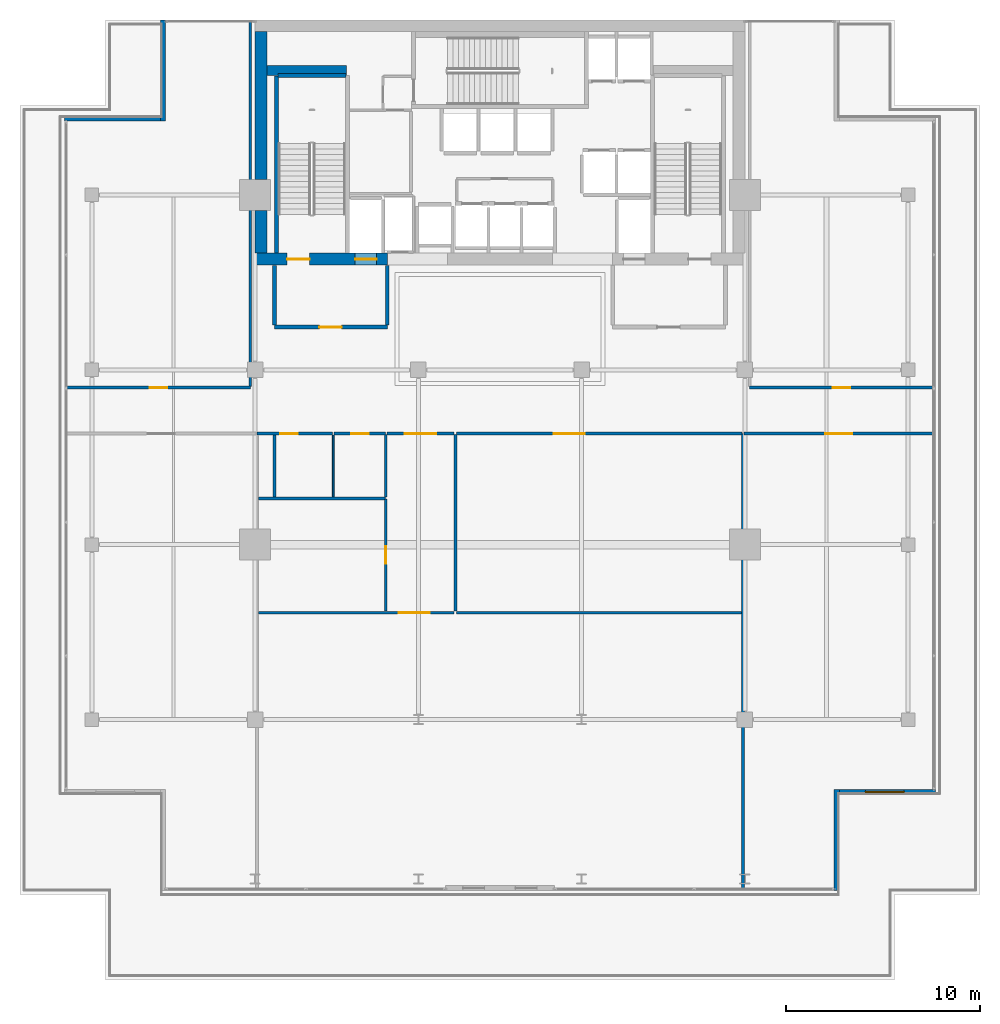
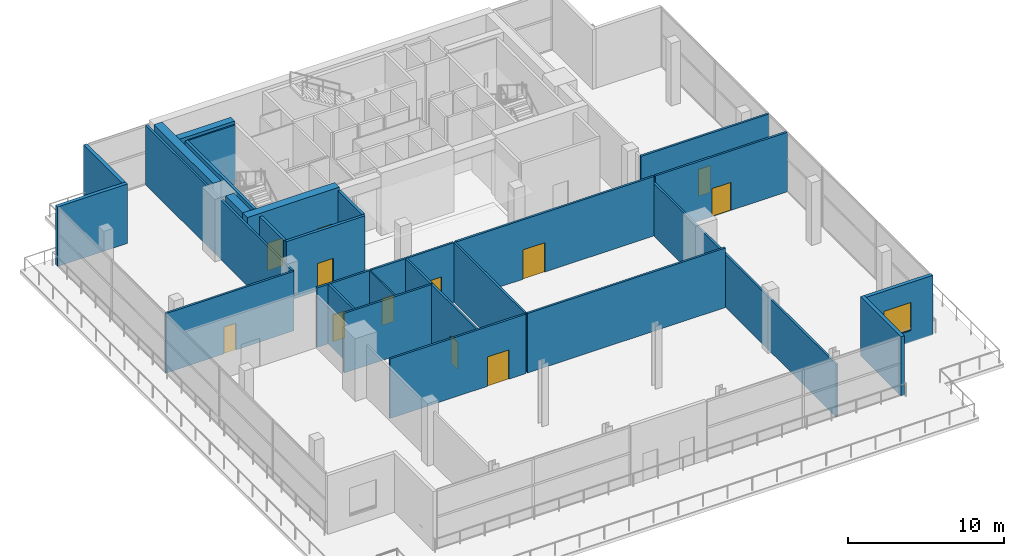
# One storey, part 22 of 28: 30 walls, 12 doors, 1 window, 13 openings.
"""IFC4 building model written with IfcOpenShell, lengths in metres."""

from ifc_helpers import new_model, si_unit, direction, frame, frame_2d, origin, place, context, subcontext, project, spatial, rectangle, extrude, material, layer, layer_set, type_object, element, fill, save


model = new_model("IFC4")

# Units and contexts
model_context = context("Model", 3, precision=1e-05, world=origin(), true_north=direction((0.0, 1.0)))
body_context = subcontext(model_context, "Body", "Model", "MODEL_VIEW")
ifc_project = project(units=[si_unit("LENGTHUNIT", "METRE"), si_unit("AREAUNIT", "SQUARE_METRE"), si_unit("VOLUMEUNIT", "CUBIC_METRE"), si_unit("PLANEANGLEUNIT", "RADIAN"), si_unit("MASSUNIT", "GRAM", prefix="KILO")], contexts=[model_context])

# Site, building, storey
site_placement = place(None, origin())
site = spatial("IfcSite", under=ifc_project, at=site_placement, CompositionType="ELEMENT")
building_placement = place(site_placement, origin())
building = spatial("IfcBuilding", under=site, at=building_placement, Name="Maruvema Waterfront Hotel and Observation Tower", CompositionType="ELEMENT")
storey_placement = place(building_placement, frame((0.0, 0.0, 234.5)))
storey = spatial("IfcBuildingStorey", under=building, at=storey_placement, Name="L57", CompositionType="ELEMENT", Elevation=234.5)

# Wall, opening, door
ifc_material_1 = material(Name="Twin-stud acoustic gypsum drywall", Category="gypsum")
ifc_layer_1 = layer(ifc_material_1, 0.14990234375, Name="Acoustic Corridor and Suite Demising Wall 150 mm")
ifc_layer_set_1 = layer_set([ifc_layer_1], Name="Twin-stud acoustic gypsum drywall")
wall_type_1 = type_object("IfcWallType", Name="Acoustic Corridor and Suite Demising Wall 150 mm", PredefinedType="PARTITIONING", material=ifc_layer_set_1)
wall_1_placement = place(storey_placement, frame((25.300048828125, 32.719970703125, 0.0), z_axis=(0.0, 0.0, 1.0), x_axis=(1.0, 0.0, 0.0)))
wall_1 = element("IfcWall", 1, at=wall_1_placement, inside=storey, type_object=wall_type_1, Name="L57 L57 Public WC North 018", PredefinedType="PARTITIONING", context=body_context, shape_type="SweptSolid", body=[
    extrude(rectangle(XDim=3.8798828125, YDim=0.14990234375, at=frame_2d((1.93994140625, 0.0))), origin(), (0.0, 0.0, 1.0), 4.659912109375),
])
opening_1_placement = place(wall_1_placement, frame((1.199951171875, 0.0, 0.0)))
opening_1 = element("IfcOpeningElement", 2, at=opening_1_placement, cuts=wall_1, Name="Opening DR-090", PredefinedType="OPENING", context=body_context, shape_type="SweptSolid", body=[
    extrude(rectangle(XDim=0.89990234375, YDim=2.10009765625, at=frame_2d((0.449951171875, 1.050048828125))), frame((0.0, 0.0849609375, 0.0), z_axis=(0.0, -1.0, 0.0), x_axis=(1.0, 0.0, 0.0)), (0.0, 0.0, 1.0), 0.169921875),
])
ifc_material_2 = material(Name="Solid-core lacquered timber leaf", Category="wood")
door_type_1 = type_object("IfcDoorType", Name="Accessible Toilet and Room Door 900x2100 mm", OperationType="NOTDEFINED", PredefinedType="DOOR", material=ifc_material_2)
door_1_placement = place(opening_1_placement, origin())
door_1 = element("IfcDoor", 3, at=door_1_placement, inside=storey, type_object=door_type_1, Name="L57 Public Toilet Door", OperationType="SINGLE_SWING_LEFT", OverallHeight=2.10009765625, OverallWidth=0.89990234375, PredefinedType="DOOR", context=body_context, shape_type="SweptSolid", body=[
    extrude(rectangle(XDim=0.89990234375, YDim=2.10009765625, at=frame_2d((0.449951171875, 1.050048828125))), frame((0.0, 0.02490234375, 0.0), z_axis=(0.0, -1.0, 0.0), x_axis=(1.0, 0.0, 0.0)), (0.0, 0.0, 1.0), 0.050048828125),
])
fill(opening_1, door_1)

wall_2_placement = place(storey_placement, frame((29.260009765625, 32.719970703125, 0.0), z_axis=(0.0, 0.0, 1.0), x_axis=(1.0, 0.0, 0.0)))
wall_2 = element("IfcWall", 4, at=wall_2_placement, inside=storey, type_object=wall_type_1, Name="L57 L57 Acc WC North 019", PredefinedType="PARTITIONING", context=body_context, shape_type="SweptSolid", body=[
    extrude(rectangle(XDim=2.659912109375, YDim=0.14990234375, at=frame_2d((1.330078125, 0.0))), origin(), (0.0, 0.0, 1.0), 4.659912109375),
])
opening_2_placement = place(wall_2_placement, frame((0.8798828125, 0.0, 0.0)))
opening_2 = element("IfcOpeningElement", 5, at=opening_2_placement, cuts=wall_2, Name="Opening DR-090", PredefinedType="OPENING", context=body_context, shape_type="SweptSolid", body=[
    extrude(rectangle(XDim=0.89990234375, YDim=2.10009765625, at=frame_2d((0.449951171875, 1.050048828125))), frame((0.0, 0.0849609375, 0.0), z_axis=(0.0, -1.0, 0.0), x_axis=(1.0, 0.0, 0.0)), (0.0, 0.0, 1.0), 0.169921875),
])
door_2_placement = place(opening_2_placement, origin())
door_2 = element("IfcDoor", 6, at=door_2_placement, inside=storey, type_object=door_type_1, Name="L57 Accessible WC Door", OperationType="SINGLE_SWING_RIGHT", OverallHeight=2.10009765625, OverallWidth=0.89990234375, PredefinedType="DOOR", context=body_context, shape_type="SweptSolid", body=[
    extrude(rectangle(XDim=0.89990234375, YDim=2.10009765625, at=frame_2d((0.449951171875, 1.050048828125))), frame((0.0, 0.02490234375, 0.0), z_axis=(0.0, -1.0, 0.0), x_axis=(1.0, 0.0, 0.0)), (0.0, 0.0, 1.0), 0.050048828125),
])
fill(opening_2, door_2)

# Walls
wall_3_placement = place(storey_placement, frame((25.3798828125, 29.3798828125, 0.0), z_axis=(0.0, 0.0, 1.0), x_axis=(1.0, 0.0, 0.0)))
element("IfcWall", 7, at=wall_3_placement, inside=storey, type_object=wall_type_1, Name="L57 L57 WC South 020", PredefinedType="PARTITIONING", context=body_context, shape_type="SweptSolid", body=[
    extrude(rectangle(XDim=6.5400390625, YDim=0.14990234375, at=frame_2d((3.27001953125, 0.0))), origin(), (0.0, 0.0, 1.0), 4.659912109375),
])
wall_4_placement = place(storey_placement, frame((26.199951171875, 29.4599609375, 0.0), z_axis=(0.0, 0.0, 1.0), x_axis=(0.0, 1.0, 0.0)))
element("IfcWall", 8, at=wall_4_placement, inside=storey, type_object=wall_type_1, Name="L57 L57 WC West 021", PredefinedType="PARTITIONING", context=body_context, shape_type="SweptSolid", body=[
    extrude(rectangle(XDim=3.179931640625, YDim=0.14990234375, at=frame_2d((1.58984375, 0.0))), origin(), (0.0, 0.0, 1.0), 4.659912109375),
])
wall_5_placement = place(storey_placement, frame((31.919921875, 29.4599609375, 0.0), z_axis=(0.0, 0.0, 1.0), x_axis=(0.0, 1.0, 0.0)))
element("IfcWall", 9, at=wall_5_placement, inside=storey, type_object=wall_type_1, Name="L57 L57 WC East 023", PredefinedType="PARTITIONING", context=body_context, shape_type="SweptSolid", body=[
    extrude(rectangle(XDim=3.219970703125, YDim=0.14990234375, at=frame_2d((1.60986328125, 0.0))), origin(), (0.0, 0.0, 1.0), 4.659912109375),
])

# Wall, opening, door
wall_6_placement = place(storey_placement, frame((25.3798828125, 23.5, 0.0), z_axis=(0.0, 0.0, 1.0), x_axis=(1.0, 0.0, 0.0)))
wall_6 = element("IfcWall", 10, at=wall_6_placement, inside=storey, type_object=wall_type_1, Name="L57 L57 Sky Lobby Vestibule South 024", PredefinedType="PARTITIONING", context=body_context, shape_type="SweptSolid", body=[
    extrude(rectangle(XDim=10.06005859375, YDim=0.14990234375, at=frame_2d((5.030029296875, 0.0))), origin(), (0.0, 0.0, 1.0), 4.659912109375),
])
opening_3_placement = place(wall_6_placement, frame((7.199951171875, 0.0, 0.0)))
opening_3 = element("IfcOpeningElement", 11, at=opening_3_placement, cuts=wall_6, Name="Opening DR-160", PredefinedType="OPENING", context=body_context, shape_type="SweptSolid", body=[
    extrude(rectangle(XDim=1.60009765625, YDim=2.300048828125, at=frame_2d((0.800048828125, 1.14990234375))), frame((0.0, 0.0849609375, 0.0), z_axis=(0.0, -1.0, 0.0), x_axis=(1.0, 0.0, 0.0)), (0.0, 0.0, 1.0), 0.169921875),
])
ifc_material_3 = material(Name="Acoustic veneered hardwood double leaf", Category="wood")
door_type_2 = type_object("IfcDoorType", Name="Ballroom and Lounge Double Door 1600x2300 mm", OperationType="DOUBLE_DOOR_SINGLE_SWING", PredefinedType="DOOR", material=ifc_material_3)
door_3_placement = place(opening_3_placement, origin())
door_3 = element("IfcDoor", 12, at=door_3_placement, inside=storey, type_object=door_type_2, Name="L57 L57 Sky Lobby Door", OperationType="DOUBLE_DOOR_SINGLE_SWING", OverallHeight=2.300048828125, OverallWidth=1.60009765625, PredefinedType="DOOR", context=body_context, shape_type="SweptSolid", body=[
    extrude(rectangle(XDim=1.60009765625, YDim=2.300048828125, at=frame_2d((0.800048828125, 1.14990234375))), frame((0.0, 0.02490234375, 0.0), z_axis=(0.0, -1.0, 0.0), x_axis=(1.0, 0.0, 0.0)), (0.0, 0.0, 1.0), 0.050048828125),
])
fill(opening_3, door_3)

# Walls
wall_7_placement = place(storey_placement, frame((35.56005859375, 23.5, 0.0), z_axis=(0.0, 0.0, 1.0), x_axis=(1.0, 0.0, 0.0)))
element("IfcWall", 13, at=wall_7_placement, inside=storey, type_object=wall_type_1, Name="L57 L57 Sky Lobby Split 025", PredefinedType="PARTITIONING", context=body_context, shape_type="SweptSolid", body=[
    extrude(rectangle(XDim=14.659912109375, YDim=0.14990234375, at=frame_2d((7.330078125, 0.0))), origin(), (0.0, 0.0, 1.0), 4.659912109375),
])
wall_8_placement = place(storey_placement, frame((35.5, 23.580078125, 0.0), z_axis=(0.0, 0.0, 1.0), x_axis=(0.0, 1.0, 0.0)))
element("IfcWall", 14, at=wall_8_placement, inside=storey, type_object=wall_type_1, Name="L57 L57 Vestibule East Wall 026", PredefinedType="PARTITIONING", context=body_context, shape_type="SweptSolid", body=[
    extrude(rectangle(XDim=9.099853515625, YDim=0.14990234375, at=frame_2d((4.5498046875, 0.0))), origin(), (0.0, 0.0, 1.0), 4.659912109375),
])

# Wall, opening, door
wall_9_placement = place(storey_placement, frame((31.919921875, 23.580078125, 0.0), z_axis=(0.0, 0.0, 1.0), x_axis=(0.0, 1.0, 0.0)))
wall_9 = element("IfcWall", 15, at=wall_9_placement, inside=storey, type_object=wall_type_1, Name="L57 L57 Valet East Wall 027", PredefinedType="PARTITIONING", context=body_context, shape_type="SweptSolid", body=[
    extrude(rectangle(XDim=5.780029296875, YDim=0.14990234375, at=frame_2d((2.89013671875, 0.0))), origin(), (0.0, 0.0, 1.0), 4.659912109375),
])
opening_4_placement = place(wall_9_placement, frame((2.43994140625, 0.0, 0.0)))
opening_4 = element("IfcOpeningElement", 16, at=opening_4_placement, cuts=wall_9, Name="Opening DR-090", PredefinedType="OPENING", context=body_context, shape_type="SweptSolid", body=[
    extrude(rectangle(XDim=0.89990234375, YDim=2.10009765625, at=frame_2d((0.449951171875, 1.050048828125))), frame((0.0, 0.0849609375, 0.0), z_axis=(0.0, -1.0, 0.0), x_axis=(1.0, 0.0, 0.0)), (0.0, 0.0, 1.0), 0.169921875),
])
door_4_placement = place(opening_4_placement, origin())
door_4 = element("IfcDoor", 17, at=door_4_placement, inside=storey, type_object=door_type_1, Name="L57 L57 Valet Room Door", OperationType="SINGLE_SWING_LEFT", OverallHeight=2.10009765625, OverallWidth=0.89990234375, PredefinedType="DOOR", context=body_context, shape_type="SweptSolid", body=[
    extrude(rectangle(XDim=0.89990234375, YDim=2.10009765625, at=frame_2d((0.449951171875, 1.050048828125))), frame((0.0, 0.02490234375, 0.0), z_axis=(0.0, -1.0, 0.0), x_axis=(1.0, 0.0, 0.0)), (0.0, 0.0, 1.0), 0.050048828125),
])
fill(opening_4, door_4)

wall_10_placement = place(storey_placement, frame((31.97998046875, 32.719970703125, 0.0), z_axis=(0.0, 0.0, 1.0), x_axis=(1.0, 0.0, 0.0)))
wall_10 = element("IfcWall", 18, at=wall_10_placement, inside=storey, type_object=wall_type_1, Name="L57 L57 Vestibule North 028", PredefinedType="PARTITIONING", context=body_context, shape_type="SweptSolid", body=[
    extrude(rectangle(XDim=3.4599609375, YDim=0.14990234375, at=frame_2d((1.72998046875, 0.0))), origin(), (0.0, 0.0, 1.0), 4.659912109375),
])
opening_5_placement = place(wall_10_placement, frame((0.929931640625, 0.0, 0.0)))
opening_5 = element("IfcOpeningElement", 19, at=opening_5_placement, cuts=wall_10, Name="Opening DR-160", PredefinedType="OPENING", context=body_context, shape_type="SweptSolid", body=[
    extrude(rectangle(XDim=1.60009765625, YDim=2.300048828125, at=frame_2d((0.800048828125, 1.14990234375))), frame((0.0, 0.0849609375, 0.0), z_axis=(0.0, -1.0, 0.0), x_axis=(1.0, 0.0, 0.0)), (0.0, 0.0, 1.0), 0.169921875),
])
door_5_placement = place(opening_5_placement, origin())
door_5 = element("IfcDoor", 20, at=door_5_placement, inside=storey, type_object=door_type_2, Name="L57 L57 Sky Vestibule Door", OperationType="DOUBLE_DOOR_SINGLE_SWING", OverallHeight=2.300048828125, OverallWidth=1.60009765625, PredefinedType="DOOR", context=body_context, shape_type="SweptSolid", body=[
    extrude(rectangle(XDim=1.60009765625, YDim=2.300048828125, at=frame_2d((0.800048828125, 1.14990234375))), frame((0.0, 0.02490234375, 0.0), z_axis=(0.0, -1.0, 0.0), x_axis=(1.0, 0.0, 0.0)), (0.0, 0.0, 1.0), 0.050048828125),
])
fill(opening_5, door_5)

wall_11_placement = place(storey_placement, frame((35.56005859375, 32.719970703125, 0.0), z_axis=(0.0, 0.0, 1.0), x_axis=(1.0, 0.0, 0.0)))
wall_11 = element("IfcWall", 21, at=wall_11_placement, inside=storey, type_object=wall_type_1, Name="L57 L57 Concierge North 029", PredefinedType="PARTITIONING", context=body_context, shape_type="SweptSolid", body=[
    extrude(rectangle(XDim=14.68994140625, YDim=0.14990234375, at=frame_2d((7.344970703125, 0.0))), origin(), (0.0, 0.0, 1.0), 4.659912109375),
])
opening_6_placement = place(wall_11_placement, frame((5.0, 0.0, 0.0)))
opening_6 = element("IfcOpeningElement", 22, at=opening_6_placement, cuts=wall_11, Name="Opening DR-160", PredefinedType="OPENING", context=body_context, shape_type="SweptSolid", body=[
    extrude(rectangle(XDim=1.60009765625, YDim=2.300048828125, at=frame_2d((0.800048828125, 1.14990234375))), frame((0.0, 0.0849609375, 0.0), z_axis=(0.0, -1.0, 0.0), x_axis=(1.0, 0.0, 0.0)), (0.0, 0.0, 1.0), 0.169921875),
])
door_6_placement = place(opening_6_placement, origin())
door_6 = element("IfcDoor", 23, at=door_6_placement, inside=storey, type_object=door_type_2, Name="L57 L57 Concierge Door", OperationType="DOUBLE_DOOR_SINGLE_SWING", OverallHeight=2.300048828125, OverallWidth=1.60009765625, PredefinedType="DOOR", context=body_context, shape_type="SweptSolid", body=[
    extrude(rectangle(XDim=1.60009765625, YDim=2.300048828125, at=frame_2d((0.800048828125, 1.14990234375))), frame((0.0, 0.02490234375, 0.0), z_axis=(0.0, -1.0, 0.0), x_axis=(1.0, 0.0, 0.0)), (0.0, 0.0, 1.0), 0.050048828125),
])
fill(opening_6, door_6)

wall_12_placement = place(storey_placement, frame((50.35009765625, 32.719970703125, 0.0), z_axis=(0.0, 0.0, 1.0), x_axis=(1.0, 0.0, 0.0)))
wall_12 = element("IfcWall", 24, at=wall_12_placement, inside=storey, type_object=wall_type_1, Name="L57 L57 Club North 031", PredefinedType="PARTITIONING", context=body_context, shape_type="SweptSolid", body=[
    extrude(rectangle(XDim=9.77001953125, YDim=0.14990234375, at=frame_2d((4.885009765625, 0.0))), origin(), (0.0, 0.0, 1.0), 4.659912109375),
])
opening_7_placement = place(wall_12_placement, frame((4.18505859375, 0.0, 0.0)))
opening_7 = element("IfcOpeningElement", 25, at=opening_7_placement, cuts=wall_12, Name="Opening DR-140", PredefinedType="OPENING", context=body_context, shape_type="SweptSolid", body=[
    extrude(rectangle(XDim=1.39990234375, YDim=2.199951171875, at=frame_2d((0.699951171875, 1.10009765625))), frame((0.0, 0.0849609375, 0.0), z_axis=(0.0, -1.0, 0.0), x_axis=(1.0, 0.0, 0.0)), (0.0, 0.0, 1.0), 0.169921875),
])
ifc_material_4 = material(Name="Anodised bronze framed acoustic glass leaf", Category="glass")
door_type_3 = type_object("IfcDoorType", Name="Conference and Restaurant Double Door 1400x2200 mm", OperationType="DOUBLE_DOOR_SINGLE_SWING", PredefinedType="DOOR", material=ifc_material_4)
door_7_placement = place(opening_7_placement, origin())
door_7 = element("IfcDoor", 26, at=door_7_placement, inside=storey, type_object=door_type_3, Name="L57 L57 Club Lounge Door", OperationType="DOUBLE_DOOR_SINGLE_SWING", OverallHeight=2.199951171875, OverallWidth=1.39990234375, PredefinedType="DOOR", context=body_context, shape_type="SweptSolid", body=[
    extrude(rectangle(XDim=1.39990234375, YDim=2.199951171875, at=frame_2d((0.699951171875, 1.10009765625))), frame((0.0, 0.02490234375, 0.0), z_axis=(0.0, -1.0, 0.0), x_axis=(1.0, 0.0, 0.0)), (0.0, 0.0, 1.0), 0.050048828125),
])
fill(opening_7, door_7)

# Wall
wall_13_placement = place(storey_placement, frame((50.300048828125, 9.280029296875, 0.0), z_axis=(0.0, 0.0, 1.0), x_axis=(0.0, 1.0, 0.0)))
element("IfcWall", 27, at=wall_13_placement, inside=storey, type_object=wall_type_1, Name="L57 L57 East Spine 033", PredefinedType="PARTITIONING", context=body_context, shape_type="SweptSolid", body=[
    extrude(rectangle(XDim=23.43994140625, YDim=0.14990234375, at=frame_2d((11.719970703125, 0.0))), origin(), (0.0, 0.0, 1.0), 4.126953125),
])

# Wall, opening, door
wall_14_placement = place(storey_placement, frame((15.47998046875, 35.080078125, 0.0), z_axis=(0.0, 0.0, 1.0), x_axis=(1.0, 0.0, 0.0)))
wall_14 = element("IfcWall", 28, at=wall_14_placement, inside=storey, type_object=wall_type_1, Name="L57 L57 VIP Wall 034", PredefinedType="PARTITIONING", context=body_context, shape_type="SweptSolid", body=[
    extrude(rectangle(XDim=9.469970703125, YDim=0.14990234375, at=frame_2d((4.73486328125, 0.0))), origin(), (0.0, 0.0, 1.0), 4.659912109375),
])
opening_8_placement = place(wall_14_placement, frame((4.284912109375, 0.0, 0.0)))
opening_8 = element("IfcOpeningElement", 29, at=opening_8_placement, cuts=wall_14, Name="Opening DR-090", PredefinedType="OPENING", context=body_context, shape_type="SweptSolid", body=[
    extrude(rectangle(XDim=0.89990234375, YDim=2.10009765625, at=frame_2d((0.449951171875, 1.050048828125))), frame((0.0, 0.0849609375, 0.0), z_axis=(0.0, -1.0, 0.0), x_axis=(1.0, 0.0, 0.0)), (0.0, 0.0, 1.0), 0.169921875),
])
door_8_placement = place(opening_8_placement, frame((0.89990234375, 0.0, 0.0), z_axis=(0.0, 0.0, 1.0), x_axis=(-1.0, 0.0, 0.0)))
door_8 = element("IfcDoor", 30, at=door_8_placement, inside=storey, type_object=door_type_1, Name="L57 VIP Boardroom Door", OperationType="SINGLE_SWING_RIGHT", OverallHeight=2.10009765625, OverallWidth=0.89990234375, PredefinedType="DOOR", context=body_context, shape_type="SweptSolid", body=[
    extrude(rectangle(XDim=0.89990234375, YDim=2.10009765625, at=frame_2d((0.449951171875, 1.050048828125))), frame((0.0, 0.02490234375, 0.0), z_axis=(0.0, -1.0, 0.0), x_axis=(1.0, 0.0, 0.0)), (0.0, 0.0, 1.0), 0.050048828125),
])
fill(opening_8, door_8)

# Wall
wall_15_placement = place(storey_placement, frame((24.949951171875, 35.139892578125, 0.0), z_axis=(0.0, 0.0, 1.0), x_axis=(0.0, 1.0, 0.0)))
element("IfcWall", 31, at=wall_15_placement, inside=storey, type_object=wall_type_1, Name="L57 L57 VIP East 035", PredefinedType="PARTITIONING", context=body_context, shape_type="SweptSolid", body=[
    extrude(rectangle(XDim=18.780029296875, YDim=0.14990234375, at=frame_2d((9.39013671875, 0.0))), origin(), (0.0, 0.0, 1.0), 4.659912109375),
])

# Wall, opening, door
wall_16_placement = place(storey_placement, frame((50.64990234375, 35.080078125, 0.0), z_axis=(0.0, 0.0, 1.0), x_axis=(1.0, 0.0, 0.0)))
wall_16 = element("IfcWall", 32, at=wall_16_placement, inside=storey, type_object=wall_type_1, Name="L57 L57 Pastry Wall 036", PredefinedType="PARTITIONING", context=body_context, shape_type="SweptSolid", body=[
    extrude(rectangle(XDim=9.47021484375, YDim=0.14990234375, at=frame_2d((4.735107421875, 0.0))), origin(), (0.0, 0.0, 1.0), 4.659912109375),
])
opening_9_placement = place(wall_16_placement, frame((4.284912109375, 0.0, 0.0)))
opening_9 = element("IfcOpeningElement", 33, at=opening_9_placement, cuts=wall_16, Name="Opening DR-090", PredefinedType="OPENING", context=body_context, shape_type="SweptSolid", body=[
    extrude(rectangle(XDim=0.89990234375, YDim=2.10009765625, at=frame_2d((0.449951171875, 1.050048828125))), frame((0.0, 0.0849609375, 0.0), z_axis=(0.0, -1.0, 0.0), x_axis=(1.0, 0.0, 0.0)), (0.0, 0.0, 1.0), 0.169921875),
])
door_9_placement = place(opening_9_placement, frame((0.89990234375, 0.0, 0.0), z_axis=(0.0, 0.0, 1.0), x_axis=(-1.0, 0.0, 0.0)))
door_9 = element("IfcDoor", 34, at=door_9_placement, inside=storey, type_object=door_type_1, Name="L57 Pastry Kitchen Door", OperationType="SINGLE_SWING_LEFT", OverallHeight=2.10009765625, OverallWidth=0.89990234375, PredefinedType="DOOR", context=body_context, shape_type="SweptSolid", body=[
    extrude(rectangle(XDim=0.89990234375, YDim=2.10009765625, at=frame_2d((0.449951171875, 1.050048828125))), frame((0.0, 0.02490234375, 0.0), z_axis=(0.0, -1.0, 0.0), x_axis=(1.0, 0.0, 0.0)), (0.0, 0.0, 1.0), 0.050048828125),
])
fill(opening_9, door_9)

# Walls
ifc_material_5 = material(Name="Precast concrete C45/55", Category="concrete")
ifc_layer_2 = layer(ifc_material_5, 0.199951171875, Name="Core Shaft and Stairwell Enclosure Wall 200 mm")
ifc_layer_set_2 = layer_set([ifc_layer_2], Name="Precast concrete C45/55")
wall_type_2 = type_object("IfcWallType", Name="Core Shaft and Stairwell Enclosure Wall 200 mm", PredefinedType="SOLIDWALL", material=ifc_layer_set_2)
wall_17_placement = place(storey_placement, frame((26.300048828125, 42.0, 0.0), z_axis=(0.0, 0.0, 1.0), x_axis=(0.0, 1.0, 0.0)))
element("IfcWall", 35, at=wall_17_placement, inside=storey, type_object=wall_type_2, Name="L57 Stairwell ST-01 Shaft Lining Wall", PredefinedType="SOLIDWALL", context=body_context, shape_type="SweptSolid", body=[
    extrude(rectangle(XDim=9.1201171875, YDim=0.199951171875, at=frame_2d((4.56005859375, 0.0))), origin(), (0.0, 0.0, 1.0), 4.659912109375),
])
wall_18_placement = place(storey_placement, frame((26.3798828125, 51.14990234375, 0.0), z_axis=(0.0, 0.0, 1.0), x_axis=(1.0, 0.0, 0.0)))
element("IfcWall", 36, at=wall_18_placement, inside=storey, type_object=wall_type_2, Name="L57 Stairwell ST-01 Shaft Lining Wall", PredefinedType="SOLIDWALL", context=body_context, shape_type="SweptSolid", body=[
    extrude(rectangle(XDim=3.5, YDim=0.199951171875, at=frame_2d((1.75, 0.0))), origin(), (0.0, 0.0, 1.0), 4.659912109375),
])
ifc_material_6 = material(Name="Concrete C70/85", Category="concrete")
ifc_layer_3 = layer(ifc_material_6, 0.5, Name="Core Shear Wall 500 mm")
ifc_layer_set_3 = layer_set([ifc_layer_3], Name="Concrete C70/85")
wall_type_3 = type_object("IfcWallType", Name="Core Shear Wall 500 mm", PredefinedType="SHEAR", material=ifc_layer_set_3)
wall_19_placement = place(storey_placement, frame((25.800048828125, 51.39990234375, 0.0), z_axis=(0.0, 0.0, 1.0), x_axis=(1.0, 0.0, 0.0)))
element("IfcWall", 37, at=wall_19_placement, inside=storey, type_object=wall_type_3, Name="L57 Internal Core Shear Wall NW 500 mm", PredefinedType="SHEAR", context=body_context, shape_type="SweptSolid", body=[
    extrude(rectangle(XDim=4.099853515625, YDim=0.5, at=frame_2d((2.0498046875, 0.0))), origin(), (0.0, 0.0, 1.0), 4.89990234375),
])

# Wall, openings, doors
ifc_material_7 = material(Name="Concrete C60/75", Category="concrete")
ifc_layer_4 = layer(ifc_material_7, 0.60009765625, Name="Core Shear Wall 600 mm")
ifc_layer_set_4 = layer_set([ifc_layer_4], Name="Concrete C60/75")
wall_type_4 = type_object("IfcWallType", Name="Core Shear Wall 600 mm", PredefinedType="SHEAR", material=ifc_layer_set_4)
wall_20_placement = place(storey_placement, frame((25.199951171875, 41.699951171875, 0.0), z_axis=(0.0, 0.0, 1.0), x_axis=(1.0, 0.0, 0.0)))
wall_20 = element("IfcWall", 38, at=wall_20_placement, inside=storey, type_object=wall_type_4, Name="L57 South-West Core Shear Wall", PredefinedType="SHEAR", context=body_context, shape_type="SweptSolid", body=[
    extrude(rectangle(XDim=6.800048828125, YDim=0.60009765625, at=frame_2d((3.39990234375, 0.0))), origin(), (0.0, 0.0, 1.0), 4.89990234375),
])
opening_10_placement = place(wall_20_placement, frame((1.64990234375, 0.0, 0.0)))
opening_10 = element("IfcOpeningElement", 39, at=opening_10_placement, cuts=wall_20, Name="Opening SD-01", PredefinedType="OPENING", context=body_context, shape_type="SweptSolid", body=[
    extrude(rectangle(XDim=1.14990234375, YDim=2.14990234375, at=frame_2d((0.574951171875, 1.074951171875))), frame((0.0, 0.31005859375, 0.0), z_axis=(0.0, -1.0, 0.0), x_axis=(1.0, 0.0, 0.0)), (0.0, 0.0, 1.0), 0.6201171875),
])
opening_11_placement = place(wall_20_placement, frame((5.14990234375, 0.0, 0.0)))
opening_11 = element("IfcOpeningElement", 40, at=opening_11_placement, cuts=wall_20, Name="Opening LD-03", PredefinedType="OPENING", context=body_context, shape_type="SweptSolid", body=[
    extrude(rectangle(XDim=1.10009765625, YDim=2.199951171875, at=frame_2d((0.550048828125, 1.10009765625))), frame((0.0, 0.31005859375, 0.0), z_axis=(0.0, -1.0, 0.0), x_axis=(1.0, 0.0, 0.0)), (0.0, 0.0, 1.0), 0.6201171875),
])
ifc_material_8 = material(Name="Fire-rated galvanised steel leaf", Category="steel")
door_type_4 = type_object("IfcDoorType", Name="Exit Stair Fire Door 1150x2150 mm", OperationType="NOTDEFINED", PredefinedType="DOOR", material=ifc_material_8)
door_10_placement = place(opening_10_placement, origin())
door_10 = element("IfcDoor", 41, at=door_10_placement, inside=storey, type_object=door_type_4, Name="L57 Exit Stair ST-01 Fire Door", OperationType="SINGLE_SWING_LEFT", OverallHeight=2.14990234375, OverallWidth=1.14990234375, PredefinedType="DOOR", context=body_context, shape_type="SweptSolid", body=[
    extrude(rectangle(XDim=1.14990234375, YDim=2.14990234375, at=frame_2d((0.574951171875, 1.074951171875))), frame((0.0, 0.02490234375, 0.0), z_axis=(0.0, -1.0, 0.0), x_axis=(1.0, 0.0, 0.0)), (0.0, 0.0, 1.0), 0.050048828125),
])
fill(opening_10, door_10)
ifc_material_9 = material(Name="Brushed stainless steel Grade 316", Category="steel")
door_type_5 = type_object("IfcDoorType", Name="Firefighting Lift Sliding Landing Door 1100x2200 mm", OperationType="SLIDING_TO_LEFT", PredefinedType="DOOR", material=ifc_material_9)
door_11_placement = place(opening_11_placement, frame((1.10009765625, 0.0, 0.0), z_axis=(0.0, 0.0, 1.0), x_axis=(-1.0, 0.0, 0.0)))
door_11 = element("IfcDoor", 42, at=door_11_placement, inside=storey, type_object=door_type_5, Name="L57 Firefighting Lift FL-01 Landing Door", OperationType="SLIDING_TO_LEFT", OverallHeight=2.199951171875, OverallWidth=1.10009765625, PredefinedType="DOOR", context=body_context, shape_type="SweptSolid", body=[
    extrude(rectangle(XDim=1.10009765625, YDim=2.199951171875, at=frame_2d((0.550048828125, 1.10009765625))), frame((0.0, 0.02490234375, 0.0), z_axis=(0.0, -1.0, 0.0), x_axis=(1.0, 0.0, 0.0)), (0.0, 0.0, 1.0), 0.050048828125),
])
fill(opening_11, door_11)

# Walls
wall_21_placement = place(storey_placement, frame((25.5, 42.0, 0.0), z_axis=(0.0, 0.0, 1.0), x_axis=(0.0, 1.0, 0.0)))
element("IfcWall", 43, at=wall_21_placement, inside=storey, type_object=wall_type_4, Name="L57 West-South Core Shear Wall", PredefinedType="SHEAR", context=body_context, shape_type="SweptSolid", body=[
    extrude(rectangle(XDim=2.199951171875, YDim=0.60009765625, at=frame_2d((1.10009765625, 0.0))), origin(), (0.0, 0.0, 1.0), 4.89990234375),
])
wall_22_placement = place(storey_placement, frame((25.5, 45.800048828125, 0.0), z_axis=(0.0, 0.0, 1.0), x_axis=(0.0, 1.0, 0.0)))
element("IfcWall", 44, at=wall_22_placement, inside=storey, type_object=wall_type_4, Name="L57 West-North Core Shear Wall", PredefinedType="SHEAR", context=body_context, shape_type="SweptSolid", body=[
    extrude(rectangle(XDim=7.599853515625, YDim=0.60009765625, at=frame_2d((3.7998046875, 0.0))), origin(), (0.0, 0.0, 1.0), 4.89990234375),
])
ifc_material_10 = material(Name="Moisture-resistant cement-board drywall", Category="gypsum")
ifc_layer_5 = layer(ifc_material_10, 0.10009765625, Name="En-Suite Moisture-Resistant Partition 100 mm")
ifc_layer_set_5 = layer_set([ifc_layer_5], Name="Moisture-resistant cement-board drywall")
wall_type_5 = type_object("IfcWallType", Name="En-Suite Moisture-Resistant Partition 100 mm", PredefinedType="PARTITIONING", material=ifc_layer_set_5)
wall_23_placement = place(storey_placement, frame((29.219970703125, 29.4599609375, 0.0), z_axis=(0.0, 0.0, 1.0), x_axis=(0.0, 1.0, 0.0)))
element("IfcWall", 45, at=wall_23_placement, inside=storey, type_object=wall_type_5, Name="L57 L57 WC Split 022", PredefinedType="PARTITIONING", context=body_context, shape_type="SweptSolid", body=[
    extrude(rectangle(XDim=3.179931640625, YDim=0.10009765625, at=frame_2d((1.58984375, 0.0))), origin(), (0.0, 0.0, 1.0), 4.659912109375),
])
ifc_material_11 = material(Name="Precast concrete C45/55 with honed Pernambuco granite facing", Category="masonry")
ifc_layer_6 = layer(ifc_material_11, 0.260009765625, Name="Exterior Granite Clad Spandrel and Pier Wall 260 mm")
ifc_layer_set_6 = layer_set([ifc_layer_6], Name="Precast concrete C45/55 with honed Pernambuco granite facing")
wall_type_6 = type_object("IfcWallType", Name="Exterior Granite Clad Spandrel and Pier Wall 260 mm", PredefinedType="SOLIDWALL", material=ifc_layer_set_6)
wall_24_placement = place(storey_placement, frame((55.1298828125, 14.39990234375, 0.0), z_axis=(0.0, 0.0, 1.0), x_axis=(0.0, -1.0, 0.0)))
element("IfcWall", 46, at=wall_24_placement, inside=storey, type_object=wall_type_6, Name="L57 Corner Notch Granite Pier Wall SE1", PredefinedType="SOLIDWALL", context=body_context, shape_type="SweptSolid", body=[
    extrude(rectangle(XDim=5.199951171875, YDim=0.260009765625, at=frame_2d((2.60009765625, 0.0))), origin(), (0.0, 0.0, 1.0), 4.659912109375),
])

# Wall, opening, window
wall_25_placement = place(storey_placement, frame((60.199951171875, 14.27001953125, 0.0), z_axis=(0.0, 0.0, 1.0), x_axis=(-1.0, 0.0, 0.0)))
wall_25 = element("IfcWall", 47, at=wall_25_placement, inside=storey, type_object=wall_type_6, Name="L57 Corner Notch Granite Pier Wall SE2", PredefinedType="SOLIDWALL", context=body_context, shape_type="SweptSolid", body=[
    extrude(rectangle(XDim=5.199951171875, YDim=0.260009765625, at=frame_2d((2.60009765625, 0.0))), origin(), (0.0, 0.0, 1.0), 4.659912109375),
])
opening_12_placement = place(wall_25_placement, frame((1.60009765625, 0.0, 0.89990234375)))
opening_12 = element("IfcOpeningElement", 48, at=opening_12_placement, cuts=wall_25, Name="Opening WN-03", PredefinedType="OPENING", context=body_context, shape_type="SweptSolid", body=[
    extrude(rectangle(XDim=2.0, YDim=2.199951171875, at=frame_2d((1.0, 1.10009765625))), frame((0.0, 0.14013671875, 0.0), z_axis=(0.0, -1.0, 0.0), x_axis=(1.0, 0.0, 0.0)), (0.0, 0.0, 1.0), 0.280029296875),
])
ifc_material_12 = material(Name="Anodised bronze aluminium frame with laminated low-E glass", Category="aluminium")
window_type = type_object("IfcWindowType", Name="Sky Suite Panoramic Notch Window 2000x2200 mm", PartitioningType="SINGLE_PANEL", PredefinedType="WINDOW", material=ifc_material_12)
window_placement = place(opening_12_placement, origin())
window = element("IfcWindow", 49, at=window_placement, inside=storey, type_object=window_type, Name="L57 Corner Notch Punched Window SE2", OverallHeight=2.199951171875, OverallWidth=2.0, PartitioningType="SINGLE_PANEL", PredefinedType="WINDOW", context=body_context, shape_type="SweptSolid", body=[
    extrude(rectangle(XDim=2.0, YDim=2.199951171875, at=frame_2d((1.0, 1.10009765625))), frame((0.0, 0.030029296875, 0.0), z_axis=(0.0, -1.0, 0.0), x_axis=(1.0, 0.0, 0.0)), (0.0, 0.0, 1.0), 0.06005859375),
])
fill(opening_12, window)

# Walls
wall_26_placement = place(storey_placement, frame((20.469970703125, 48.800048828125, 0.0), z_axis=(0.0, 0.0, 1.0), x_axis=(0.0, 1.0, 0.0)))
element("IfcWall", 50, at=wall_26_placement, inside=storey, type_object=wall_type_6, Name="L57 Corner Notch Granite Pier Wall NW1", PredefinedType="SOLIDWALL", context=body_context, shape_type="SweptSolid", body=[
    extrude(rectangle(XDim=5.199951171875, YDim=0.260009765625, at=frame_2d((2.60009765625, 0.0))), origin(), (0.0, 0.0, 1.0), 4.659912109375),
])
wall_27_placement = place(storey_placement, frame((15.39990234375, 48.929931640625, 0.0), z_axis=(0.0, 0.0, 1.0), x_axis=(1.0, 0.0, 0.0)))
element("IfcWall", 51, at=wall_27_placement, inside=storey, type_object=wall_type_6, Name="L57 Corner Notch Granite Pier Wall NW2", PredefinedType="SOLIDWALL", context=body_context, shape_type="SweptSolid", body=[
    extrude(rectangle(XDim=5.2001953125, YDim=0.260009765625, at=frame_2d((2.60009765625, 0.0))), origin(), (0.0, 0.0, 1.0), 4.659912109375),
])

# Wall, opening, door
ifc_material_13 = material(Name="Autoclaved cellular concrete blockwork", Category="masonry")
ifc_layer_7 = layer(ifc_material_13, 0.199951171875, Name="Fire Compartment Masonry Wall 200 mm")
ifc_layer_set_7 = layer_set([ifc_layer_7], Name="Autoclaved cellular concrete blockwork")
wall_type_7 = type_object("IfcWallType", Name="Fire Compartment Masonry Wall 200 mm", PredefinedType="PARTITIONING", material=ifc_layer_set_7)
wall_28_placement = place(storey_placement, frame((26.199951171875, 38.199951171875, 0.0), z_axis=(0.0, 0.0, 1.0), x_axis=(1.0, 0.0, 0.0)))
wall_28 = element("IfcWall", 52, at=wall_28_placement, inside=storey, type_object=wall_type_7, Name="L57 FFL West South Wall 001", PredefinedType="PARTITIONING", context=body_context, shape_type="SweptSolid", body=[
    extrude(rectangle(XDim=5.800048828125, YDim=0.199951171875, at=frame_2d((2.89990234375, 0.0))), origin(), (0.0, 0.0, 1.0), 4.659912109375),
])
opening_13_placement = place(wall_28_placement, frame((2.300048828125, 0.0, 0.0)))
opening_13 = element("IfcOpeningElement", 53, at=opening_13_placement, cuts=wall_28, Name="Opening FD-115", PredefinedType="OPENING", context=body_context, shape_type="SweptSolid", body=[
    extrude(rectangle(XDim=1.14990234375, YDim=2.14990234375, at=frame_2d((0.574951171875, 1.074951171875))), frame((0.0, 0.10986328125, 0.0), z_axis=(0.0, -1.0, 0.0), x_axis=(1.0, 0.0, 0.0)), (0.0, 0.0, 1.0), 0.219970703125),
])
ifc_material_14 = material(Name="Fire-rated galvanised steel and vision glass", Category="steel")
door_type_6 = type_object("IfcDoorType", Name="Firefighting Lobby Fire Door 1150x2150 mm", OperationType="NOTDEFINED", PredefinedType="DOOR", material=ifc_material_14)
door_12_placement = place(opening_13_placement, frame((1.14990234375, 0.0, 0.0), z_axis=(0.0, 0.0, 1.0), x_axis=(-1.0, 0.0, 0.0)))
door_12 = element("IfcDoor", 54, at=door_12_placement, inside=storey, type_object=door_type_6, Name="L57 Firefighting Lobby West Door", OperationType="SINGLE_SWING_LEFT", OverallHeight=2.14990234375, OverallWidth=1.14990234375, PredefinedType="DOOR", context=body_context, shape_type="SweptSolid", body=[
    extrude(rectangle(XDim=1.14990234375, YDim=2.14990234375, at=frame_2d((0.574951171875, 1.074951171875))), frame((0.0, 0.02490234375, 0.0), z_axis=(0.0, -1.0, 0.0), x_axis=(1.0, 0.0, 0.0)), (0.0, 0.0, 1.0), 0.050048828125),
])
fill(opening_13, door_12)

# Walls
for number, where, z_axis, x_axis, name in (
    (55, (26.199951171875, 38.31005859375, 0.0), (0.0, 0.0, 1.0), (0.0, 1.0, 0.0), "L57 FFL West West Wall 002"),
    (56, (32.0, 38.31005859375, 0.0), (0.0, 0.0, 1.0), (0.0, 1.0, 0.0), "L57 FFL West East Wall 003"),
):
    element("IfcWall", number, at=place(storey_placement, frame(where, z_axis=z_axis, x_axis=x_axis)), inside=storey, type_object=wall_type_7, Name=name, PredefinedType="PARTITIONING", context=body_context, shape_type="SweptSolid", body=[
        extrude(rectangle(XDim=3.06982421875, YDim=0.199951171875, at=frame_2d((1.534912109375, 0.0))), origin(), (0.0, 0.0, 1.0), 4.659912109375),
    ])

save(model, "model.ifc")
